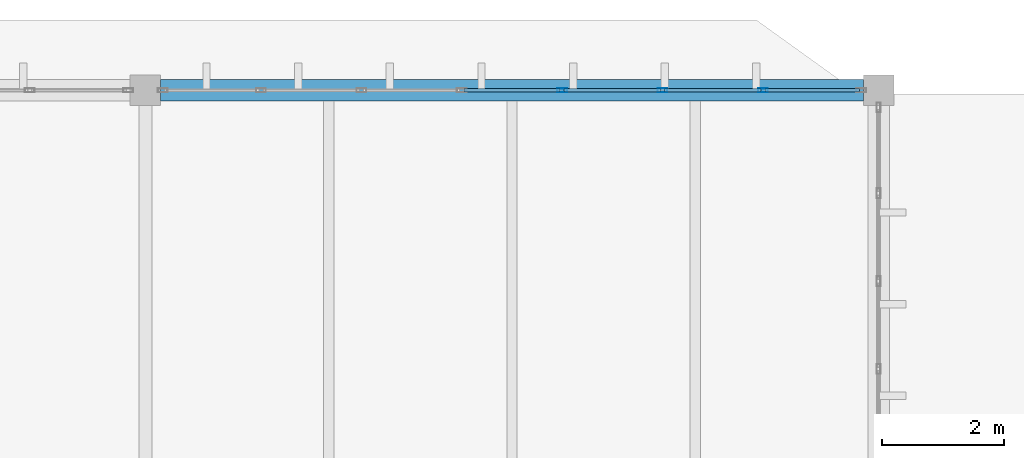
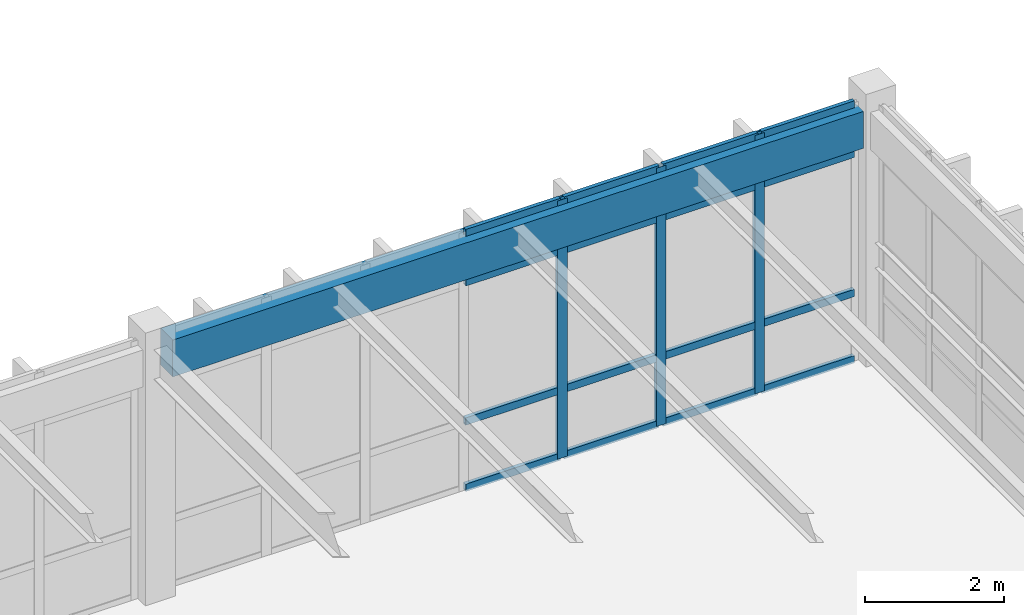
# One storey, part 179 of 236: 19 members, 1 beam, 1 element without a shape of its own.
"""IFC4 building model written with IfcOpenShell, lengths in metres."""

import ifcopenshell
import ifcopenshell.guid

model = None  # the IFC model being written
_history = None  # IfcOwnerHistory: only IFC2X3 demands one
_inside = {}  # id of a spatial element -> (the spatial element, [elements in it])
_under = {}  # id of a project, library or spatial element -> (it, [spatial elements below it])
_declared = {}  # id of a project -> (the project, [libraries it declares])
_typed = {}  # id of a type object -> (the type object, [elements of that type])
_made_of = {}  # id of a material, layer set ... -> (it, [elements and type objects made of it])


def new_model(schema):
    """Start an empty IFC model of exactly this schema.

    Asked for "IFC4X3", IfcOpenShell would pick the latest addendum, in which some entities
    have other attributes; the version numbers below select the first issue.
    IFC2X3 requires an IfcOwnerHistory on every rooted entity: one is made here for all.
    """
    global model, _history
    if schema == "IFC4X3":
        model = ifcopenshell.file(schema_version=(4, 3, 0, 0))
    else:
        model = ifcopenshell.file(schema=schema)
    _inside.clear()
    _under.clear()
    _declared.clear()
    _typed.clear()
    _made_of.clear()
    _history = None
    if model.schema == "IFC2X3":
        org = make("IfcOrganization", Name="unknown")
        user = make(
            "IfcPersonAndOrganization",
            ThePerson=make("IfcPerson", FamilyName="unknown"),
            TheOrganization=org,
        )
        app = make(
            "IfcApplication",
            ApplicationDeveloper=org,
            Version="unknown",
            ApplicationFullName="unknown",
            ApplicationIdentifier="unknown",
        )
        _history = make(
            "IfcOwnerHistory",
            OwningUser=user,
            OwningApplication=app,
            ChangeAction="ADDED",
            CreationDate=0,
        )
    return model


def make(cls, **values):
    """One entity of the class cls with the attributes given. An attribute that is None is left unset."""
    return model.create_entity(
        cls, **{name: value for name, value in values.items() if value is not None}
    )


def rooted(cls, **values):
    """An entity with a GlobalId (a new one), such as an element, a storey or a relation."""
    return make(cls, GlobalId=ifcopenshell.guid.new(), OwnerHistory=_history, **values)


def si_unit(unit_type, name, prefix=None):
    """IfcSIUnit, for example si_unit("LENGTHUNIT", "METRE", prefix="MILLI")."""
    return make("IfcSIUnit", UnitType=unit_type, Prefix=prefix, Name=name)


def assignment(units):
    """IfcUnitAssignment: the units of a project."""
    return None if units is None else make("IfcUnitAssignment", Units=units)


def point(xyz):
    """IfcCartesianPoint."""
    return None if xyz is None else make("IfcCartesianPoint", Coordinates=xyz)


def direction(xyz):
    """IfcDirection."""
    return None if xyz is None else make("IfcDirection", DirectionRatios=xyz)


def frame(location, z_axis=None, x_axis=None):
    """IfcAxis2Placement3D, a coordinate frame: its origin and axes. An axis left out is left unset."""
    return make(
        "IfcAxis2Placement3D",
        Location=point(location),
        Axis=direction(z_axis),
        RefDirection=direction(x_axis),
    )


def frame_2d(location, x_axis=None):
    """IfcAxis2Placement2D, a coordinate frame in the plane: its origin and x axis."""
    return make(
        "IfcAxis2Placement2D", Location=point(location), RefDirection=direction(x_axis)
    )


def origin():
    """The frame at (0, 0, 0) with its axes left unset."""
    return frame((0.0, 0.0, 0.0))


def origin_2d():
    """The frame at (0, 0) in the plane with its x axis left unset."""
    return frame_2d((0.0, 0.0))


def place(relative_to, where):
    """IfcLocalPlacement: puts the frame where relative to a parent placement (None: the world)."""
    return make(
        "IfcLocalPlacement", PlacementRelTo=relative_to, RelativePlacement=where
    )


def context(
    kind, dimensions, precision=None, world=None, true_north=None, identifier=None
):
    """IfcGeometricRepresentationContext, for example the 3D "Model" context."""
    return make(
        "IfcGeometricRepresentationContext",
        ContextIdentifier=identifier,
        ContextType=kind,
        CoordinateSpaceDimension=dimensions,
        Precision=precision,
        WorldCoordinateSystem=world,
        TrueNorth=true_north,
    )


def subcontext(parent, identifier, kind, view, scale=None):
    """IfcGeometricRepresentationSubContext, for example "Body" below "Model"."""
    return make(
        "IfcGeometricRepresentationSubContext",
        ContextIdentifier=identifier,
        ContextType=kind,
        ParentContext=parent,
        TargetScale=scale,
        TargetView=view,
    )


def project(units=None, contexts=None):
    """IfcProject with its units and contexts."""
    return rooted(
        "IfcProject",
        Name="project",
        RepresentationContexts=contexts,
        UnitsInContext=assignment(units),
    )


def spatial(cls, under=None, at=None, **own):
    """A site, building, storey or space (cls), placed at a placement, below another one or the project."""
    s = rooted(cls, ObjectPlacement=at, **own)
    if under is not None:
        _under.setdefault(under.id(), (under, []))[1].append(s)
    return s


def profile(cls, at=None, kind="AREA", **sizes):
    """A parametric profile (cls). Its sizes go by their IFC names, for example OverallWidth=200.0."""
    return make(cls, ProfileType=kind, Position=at, **sizes)


def rectangle(**sizes):
    """IfcRectangleProfileDef."""
    return profile("IfcRectangleProfileDef", **sizes)


def hollow_rectangle(**sizes):
    """IfcRectangleHollowProfileDef."""
    return profile("IfcRectangleHollowProfileDef", **sizes)


def extrude(swept, where, along, depth):
    """IfcExtrudedAreaSolid: the profile swept, set in the frame where, extruded along a direction by depth."""
    return make(
        "IfcExtrudedAreaSolid",
        SweptArea=swept,
        Position=where,
        ExtrudedDirection=direction(along),
        Depth=depth,
    )


def shape(context_of_items, identifier, shape_type, items):
    """IfcShapeRepresentation: the items that make up one representation, for example the "Body"."""
    return make(
        "IfcShapeRepresentation",
        ContextOfItems=context_of_items,
        RepresentationIdentifier=identifier,
        RepresentationType=shape_type,
        Items=items,
    )


def material(Name=None, Category=None):
    """IfcMaterial."""
    return make("IfcMaterial", Name=Name, Category=Category)


def layer(
    of_material, thickness, ventilated=None, Name=None, Category=None, Priority=None
):
    """IfcMaterialLayer: one layer of a wall or slab, of a material (None: an air gap)."""
    return make(
        "IfcMaterialLayer",
        Material=of_material,
        LayerThickness=thickness,
        IsVentilated=ventilated,
        Name=Name,
        Category=Category,
        Priority=Priority,
    )


def layer_set(layers, Name=None):
    """IfcMaterialLayerSet."""
    return make("IfcMaterialLayerSet", MaterialLayers=layers, LayerSetName=Name)


def material_profile(
    of_material, cross_section, Name=None, Category=None, Priority=None
):
    """IfcMaterialProfile: a cross section and its material."""
    return make(
        "IfcMaterialProfile",
        Name=Name,
        Material=of_material,
        Profile=cross_section,
        Priority=Priority,
        Category=Category,
    )


def profile_set(profiles, Name=None, composite=None):
    """IfcMaterialProfileSet."""
    return make(
        "IfcMaterialProfileSet",
        Name=Name,
        MaterialProfiles=profiles,
        CompositeProfile=composite,
    )


def made_of(thing, what):
    """Note that an element or type object is made of a material, layer set ...; save() writes the relation."""
    if what is not None:
        _made_of.setdefault(what.id(), (what, []))[1].append(thing)
    return thing


def type_object(cls, material=None, **own):
    """A type object (cls), such as IfcWallType, which elements share."""
    return made_of(rooted(cls, **own), material)


def element(
    cls,
    number,
    at=None,
    inside=None,
    cuts=None,
    type_object=None,
    material=None,
    context=None,
    identifier="Body",
    shape_type=None,
    held_by="IfcProductDefinitionShape",
    body=None,
    shapes=None,
    **own,
):
    """One element of the class cls, such as IfcWall. Its Tag is "e" and its number.

    at: its placement. inside: the storey or other place that contains it. cuts: it is an
    opening in that element (IfcRelVoidsElement). A single representation is given by context,
    identifier, shape_type and body (its items); several are given by shapes. held_by: the class
    of the entity that holds the representations. save() writes the other relations.
    """
    e = rooted(cls, Tag="e%d" % number, ObjectPlacement=at, **own)
    if body is not None:
        shapes = [shape(context, identifier, shape_type, body)]
    if shapes is not None:
        e.Representation = make(held_by, Representations=shapes)
    if inside is not None:
        _inside.setdefault(inside.id(), (inside, []))[1].append(e)
    if cuts is not None:
        rooted(
            "IfcRelVoidsElement", RelatingBuildingElement=cuts, RelatedOpeningElement=e
        )
    if type_object is not None:
        _typed.setdefault(type_object.id(), (type_object, []))[1].append(e)
    return made_of(e, material)


def aggregate(whole, parts):
    """IfcRelAggregates: a whole, such as a stair, and the parts it consists of."""
    return rooted("IfcRelAggregates", RelatingObject=whole, RelatedObjects=parts)


def save(model, path):
    """Write the relations noted so far, then the file.

    IfcRelAggregates (storeys below a building ...), IfcRelContainedInSpatialStructure (elements
    in a storey), IfcRelDefinesByType, IfcRelAssociatesMaterial and IfcRelDeclares: one each for
    every whole, place, type object, material and project.
    """
    for whole, parts in _under.values():
        aggregate(whole, parts)
    for where, things in _inside.values():
        rooted(
            "IfcRelContainedInSpatialStructure",
            RelatedElements=things,
            RelatingStructure=where,
        )
    for kind, things in _typed.values():
        rooted("IfcRelDefinesByType", RelatedObjects=things, RelatingType=kind)
    for what, things in _made_of.values():
        rooted("IfcRelAssociatesMaterial", RelatedObjects=things, RelatingMaterial=what)
    for by, libraries in _declared.values():
        rooted("IfcRelDeclares", RelatingContext=by, RelatedDefinitions=libraries)
    model.write(path)


model = new_model("IFC4")

# Units and contexts
model_context = context("Model", 3, precision=1e-05, world=origin(), true_north=direction((0.0, 1.0)))
body_context = subcontext(model_context, "Body", "Model", "MODEL_VIEW")
ifc_project = project(units=[si_unit("LENGTHUNIT", "METRE"), si_unit("AREAUNIT", "SQUARE_METRE"), si_unit("VOLUMEUNIT", "CUBIC_METRE"), si_unit("PLANEANGLEUNIT", "RADIAN"), si_unit("MASSUNIT", "GRAM", prefix="KILO")], contexts=[model_context])

# Site, building, storey
site_placement = place(None, origin())
site = spatial("IfcSite", under=ifc_project, at=site_placement, CompositionType="ELEMENT")
building_placement = place(site_placement, origin())
building = spatial("IfcBuilding", under=site, at=building_placement, Name="Pandanus Reach Market Hall", CompositionType="ELEMENT")
storey_placement = place(building_placement, frame((0.0, 0.0, 5.39990234375)))
storey = spatial("IfcBuildingStorey", under=building, at=storey_placement, Name="L01", CompositionType="ELEMENT", Elevation=5.39990234375)

# Beam
ifc_material_1 = material(Name="Concrete N40 (40 MPa)", Category="concrete")
ifc_material_profile_1 = material_profile(ifc_material_1, rectangle(XDim=0.35009765625, YDim=0.64990234375, at=origin_2d()), Name="RC350x650", Category="LoadBearing")
ifc_profile_set_1 = profile_set([ifc_material_profile_1], Name="Concrete N40 (40 MPa)")
beam_type = type_object("IfcBeamType", Name="BM-RC350-E", PredefinedType="SPANDREL", material=ifc_profile_set_1)
beam_placement = place(storey_placement, frame((132.248046875, 120.0, 4.135009765625), z_axis=(1.0, 0.0, 0.0), x_axis=(0.0, 1.0, 0.0)))
element("IfcBeam", 1, at=beam_placement, inside=storey, type_object=beam_type, Name="Framing beam BM-RC350-E L01.868", PredefinedType="SPANDREL", context=body_context, shape_type="SweptSolid", body=[
    extrude(rectangle(XDim=0.35009765625, YDim=0.64990234375, at=origin_2d()), origin(), (0.0, 0.0, 1.0), 11.50390625),
])

# Curtain wall, members
ifc_material_2 = material(Name="Bronze anodised aluminium and low-E glass", Category="aluminium")
ifc_layer = layer(ifc_material_2, 0.159912109375, Name="CW-39")
ifc_layer_set = layer_set([ifc_layer], Name="Bronze anodised aluminium and low-E glass")
curtain_wall_type = type_object("IfcCurtainWallType", Name="CW-39", PredefinedType="NOTDEFINED", material=ifc_layer_set)
curtain_wall_placement = place(storey_placement, origin())
curtain_wall = element("IfcCurtainWall", 2, at=curtain_wall_placement, inside=storey, type_object=curtain_wall_type, Name="Glazed curtain wall CW-39 CW-0146", PredefinedType="NOTDEFINED")
ifc_material_3 = material(Name="Bronze anodised aluminium", Category="aluminium")
ifc_material_profile_2 = material_profile(ifc_material_3, hollow_rectangle(XDim=0.06494140625, YDim=0.159912109375, WallThickness=0.00390625, at=origin_2d()), Name="ALU65x160", Category="LoadBearing")
ifc_profile_set_2 = profile_set([ifc_material_profile_2], Name="Bronze anodised aluminium")
member_type_1 = type_object("IfcMemberType", Name="CW-M1", PredefinedType="MULLION", material=ifc_profile_set_2)
member_1_placement = place(storey_placement, frame((138.821533203125, 120.0, 0.0), z_axis=(0.0, 0.0, 1.0), x_axis=(0.0, 1.0, 0.0)))
member_1 = element("IfcMember", 3, at=member_1_placement, type_object=member_type_1, Name="CW-39 mullion 5", PredefinedType="MULLION", context=body_context, shape_type="SweptSolid", body=[
    extrude(hollow_rectangle(XDim=0.06494140625, YDim=0.159912109375, WallThickness=0.00390625, at=origin_2d()), origin(), (0.0, 0.0, 1.0), 4.550048828125),
])
member_2_placement = place(storey_placement, frame((140.46435546875, 120.0, 0.0), z_axis=(0.0, 0.0, 1.0), x_axis=(0.0, 1.0, 0.0)))
member_2 = element("IfcMember", 4, at=member_2_placement, type_object=member_type_1, Name="CW-39 mullion 6", PredefinedType="MULLION", context=body_context, shape_type="SweptSolid", body=[
    extrude(hollow_rectangle(XDim=0.06494140625, YDim=0.159912109375, WallThickness=0.00390625, at=origin_2d()), origin(), (0.0, 0.0, 1.0), 4.550048828125),
])
member_3_placement = place(storey_placement, frame((142.107177734375, 120.0, 0.0), z_axis=(0.0, 0.0, 1.0), x_axis=(0.0, 1.0, 0.0)))
member_3 = element("IfcMember", 5, at=member_3_placement, type_object=member_type_1, Name="CW-39 mullion 7", PredefinedType="MULLION", context=body_context, shape_type="SweptSolid", body=[
    extrude(hollow_rectangle(XDim=0.06494140625, YDim=0.159912109375, WallThickness=0.00390625, at=origin_2d()), origin(), (0.0, 0.0, 1.0), 4.550048828125),
])
ifc_material_profile_3 = material_profile(ifc_material_3, hollow_rectangle(XDim=0.06494140625, YDim=0.1298828125, WallThickness=0.00390625, at=origin_2d()), Name="ALU65x130", Category="LoadBearing")
ifc_profile_set_3 = profile_set([ifc_material_profile_3], Name="Bronze anodised aluminium")
member_type_2 = type_object("IfcMemberType", Name="CW-T1", PredefinedType="USERDEFINED", material=ifc_profile_set_3)
member_4_placement = place(storey_placement, frame((137.211181640625, 120.0, 0.03271484375), z_axis=(1.0, 0.0, 0.0), x_axis=(0.0, 1.0, 0.0)))
member_4 = element("IfcMember", 6, at=member_4_placement, type_object=member_type_2, Name="CW-39 transom 4.1", ObjectType="TRANSOM", PredefinedType="USERDEFINED", context=body_context, shape_type="SweptSolid", body=[
    extrude(hollow_rectangle(XDim=0.06494140625, YDim=0.1298828125, WallThickness=0.00390625, at=origin_2d()), origin(), (0.0, 0.0, 1.0), 1.57763671875),
])
member_5_placement = place(storey_placement, frame((137.211181640625, 120.0, 1.2001953125), z_axis=(1.0, 0.0, 0.0), x_axis=(0.0, 1.0, 0.0)))
member_5 = element("IfcMember", 7, at=member_5_placement, type_object=member_type_2, Name="CW-39 transom 4.2", ObjectType="TRANSOM", PredefinedType="USERDEFINED", context=body_context, shape_type="SweptSolid", body=[
    extrude(hollow_rectangle(XDim=0.06494140625, YDim=0.1298828125, WallThickness=0.00390625, at=origin_2d()), origin(), (0.0, 0.0, 1.0), 1.57763671875),
])
member_6_placement = place(storey_placement, frame((137.211181640625, 120.0, 3.650146484375), z_axis=(1.0, 0.0, 0.0), x_axis=(0.0, 1.0, 0.0)))
member_6 = element("IfcMember", 8, at=member_6_placement, type_object=member_type_2, Name="CW-39 transom 4.3", ObjectType="TRANSOM", PredefinedType="USERDEFINED", context=body_context, shape_type="SweptSolid", body=[
    extrude(hollow_rectangle(XDim=0.06494140625, YDim=0.1298828125, WallThickness=0.00390625, at=origin_2d()), origin(), (0.0, 0.0, 1.0), 1.57763671875),
])
member_7_placement = place(storey_placement, frame((137.211181640625, 120.0, 4.517578125), z_axis=(1.0, 0.0, 0.0), x_axis=(0.0, 1.0, 0.0)))
member_7 = element("IfcMember", 9, at=member_7_placement, type_object=member_type_2, Name="CW-39 transom 4.4", ObjectType="TRANSOM", PredefinedType="USERDEFINED", context=body_context, shape_type="SweptSolid", body=[
    extrude(hollow_rectangle(XDim=0.06494140625, YDim=0.1298828125, WallThickness=0.00390625, at=origin_2d()), origin(), (0.0, 0.0, 1.0), 1.57763671875),
])
member_8_placement = place(storey_placement, frame((138.85400390625, 120.0, 0.03271484375), z_axis=(1.0, 0.0, 0.0), x_axis=(0.0, 1.0, 0.0)))
member_8 = element("IfcMember", 10, at=member_8_placement, type_object=member_type_2, Name="CW-39 transom 5.1", ObjectType="TRANSOM", PredefinedType="USERDEFINED", context=body_context, shape_type="SweptSolid", body=[
    extrude(hollow_rectangle(XDim=0.06494140625, YDim=0.1298828125, WallThickness=0.00390625, at=origin_2d()), origin(), (0.0, 0.0, 1.0), 1.577880859375),
])
member_9_placement = place(storey_placement, frame((138.85400390625, 120.0, 1.2001953125), z_axis=(1.0, 0.0, 0.0), x_axis=(0.0, 1.0, 0.0)))
member_9 = element("IfcMember", 11, at=member_9_placement, type_object=member_type_2, Name="CW-39 transom 5.2", ObjectType="TRANSOM", PredefinedType="USERDEFINED", context=body_context, shape_type="SweptSolid", body=[
    extrude(hollow_rectangle(XDim=0.06494140625, YDim=0.1298828125, WallThickness=0.00390625, at=origin_2d()), origin(), (0.0, 0.0, 1.0), 1.577880859375),
])
member_10_placement = place(storey_placement, frame((138.85400390625, 120.0, 3.650146484375), z_axis=(1.0, 0.0, 0.0), x_axis=(0.0, 1.0, 0.0)))
member_10 = element("IfcMember", 12, at=member_10_placement, type_object=member_type_2, Name="CW-39 transom 5.3", ObjectType="TRANSOM", PredefinedType="USERDEFINED", context=body_context, shape_type="SweptSolid", body=[
    extrude(hollow_rectangle(XDim=0.06494140625, YDim=0.1298828125, WallThickness=0.00390625, at=origin_2d()), origin(), (0.0, 0.0, 1.0), 1.577880859375),
])
member_11_placement = place(storey_placement, frame((138.85400390625, 120.0, 4.517578125), z_axis=(1.0, 0.0, 0.0), x_axis=(0.0, 1.0, 0.0)))
member_11 = element("IfcMember", 13, at=member_11_placement, type_object=member_type_2, Name="CW-39 transom 5.4", ObjectType="TRANSOM", PredefinedType="USERDEFINED", context=body_context, shape_type="SweptSolid", body=[
    extrude(hollow_rectangle(XDim=0.06494140625, YDim=0.1298828125, WallThickness=0.00390625, at=origin_2d()), origin(), (0.0, 0.0, 1.0), 1.577880859375),
])
member_12_placement = place(storey_placement, frame((140.496826171875, 120.0, 0.03271484375), z_axis=(1.0, 0.0, 0.0), x_axis=(0.0, 1.0, 0.0)))
member_12 = element("IfcMember", 14, at=member_12_placement, type_object=member_type_2, Name="CW-39 transom 6.1", ObjectType="TRANSOM", PredefinedType="USERDEFINED", context=body_context, shape_type="SweptSolid", body=[
    extrude(hollow_rectangle(XDim=0.06494140625, YDim=0.1298828125, WallThickness=0.00390625, at=origin_2d()), origin(), (0.0, 0.0, 1.0), 1.577880859375),
])
member_13_placement = place(storey_placement, frame((140.496826171875, 120.0, 1.2001953125), z_axis=(1.0, 0.0, 0.0), x_axis=(0.0, 1.0, 0.0)))
member_13 = element("IfcMember", 15, at=member_13_placement, type_object=member_type_2, Name="CW-39 transom 6.2", ObjectType="TRANSOM", PredefinedType="USERDEFINED", context=body_context, shape_type="SweptSolid", body=[
    extrude(hollow_rectangle(XDim=0.06494140625, YDim=0.1298828125, WallThickness=0.00390625, at=origin_2d()), origin(), (0.0, 0.0, 1.0), 1.577880859375),
])
member_14_placement = place(storey_placement, frame((140.496826171875, 120.0, 3.650146484375), z_axis=(1.0, 0.0, 0.0), x_axis=(0.0, 1.0, 0.0)))
member_14 = element("IfcMember", 16, at=member_14_placement, type_object=member_type_2, Name="CW-39 transom 6.3", ObjectType="TRANSOM", PredefinedType="USERDEFINED", context=body_context, shape_type="SweptSolid", body=[
    extrude(hollow_rectangle(XDim=0.06494140625, YDim=0.1298828125, WallThickness=0.00390625, at=origin_2d()), origin(), (0.0, 0.0, 1.0), 1.577880859375),
])
member_15_placement = place(storey_placement, frame((140.496826171875, 120.0, 4.517578125), z_axis=(1.0, 0.0, 0.0), x_axis=(0.0, 1.0, 0.0)))
member_15 = element("IfcMember", 17, at=member_15_placement, type_object=member_type_2, Name="CW-39 transom 6.4", ObjectType="TRANSOM", PredefinedType="USERDEFINED", context=body_context, shape_type="SweptSolid", body=[
    extrude(hollow_rectangle(XDim=0.06494140625, YDim=0.1298828125, WallThickness=0.00390625, at=origin_2d()), origin(), (0.0, 0.0, 1.0), 1.577880859375),
])
member_16_placement = place(storey_placement, frame((142.1396484375, 120.0, 0.03271484375), z_axis=(1.0, 0.0, 0.0), x_axis=(0.0, 1.0, 0.0)))
member_16 = element("IfcMember", 18, at=member_16_placement, type_object=member_type_2, Name="CW-39 transom 7.1", ObjectType="TRANSOM", PredefinedType="USERDEFINED", context=body_context, shape_type="SweptSolid", body=[
    extrude(hollow_rectangle(XDim=0.06494140625, YDim=0.1298828125, WallThickness=0.00390625, at=origin_2d()), origin(), (0.0, 0.0, 1.0), 1.54541015625),
])
member_17_placement = place(storey_placement, frame((142.1396484375, 120.0, 1.2001953125), z_axis=(1.0, 0.0, 0.0), x_axis=(0.0, 1.0, 0.0)))
member_17 = element("IfcMember", 19, at=member_17_placement, type_object=member_type_2, Name="CW-39 transom 7.2", ObjectType="TRANSOM", PredefinedType="USERDEFINED", context=body_context, shape_type="SweptSolid", body=[
    extrude(hollow_rectangle(XDim=0.06494140625, YDim=0.1298828125, WallThickness=0.00390625, at=origin_2d()), origin(), (0.0, 0.0, 1.0), 1.54541015625),
])
member_18_placement = place(storey_placement, frame((142.1396484375, 120.0, 3.650146484375), z_axis=(1.0, 0.0, 0.0), x_axis=(0.0, 1.0, 0.0)))
member_18 = element("IfcMember", 20, at=member_18_placement, type_object=member_type_2, Name="CW-39 transom 7.3", ObjectType="TRANSOM", PredefinedType="USERDEFINED", context=body_context, shape_type="SweptSolid", body=[
    extrude(hollow_rectangle(XDim=0.06494140625, YDim=0.1298828125, WallThickness=0.00390625, at=origin_2d()), origin(), (0.0, 0.0, 1.0), 1.54541015625),
])
member_19_placement = place(storey_placement, frame((142.1396484375, 120.0, 4.517578125), z_axis=(1.0, 0.0, 0.0), x_axis=(0.0, 1.0, 0.0)))
member_19 = element("IfcMember", 21, at=member_19_placement, type_object=member_type_2, Name="CW-39 transom 7.4", ObjectType="TRANSOM", PredefinedType="USERDEFINED", context=body_context, shape_type="SweptSolid", body=[
    extrude(hollow_rectangle(XDim=0.06494140625, YDim=0.1298828125, WallThickness=0.00390625, at=origin_2d()), origin(), (0.0, 0.0, 1.0), 1.54541015625),
])
aggregate(curtain_wall, [member_1, member_2, member_3, member_4, member_5, member_6, member_7, member_8, member_9, member_10, member_11, member_12, member_13, member_14, member_15, member_16, member_17, member_18, member_19])

save(model, "model.ifc")
